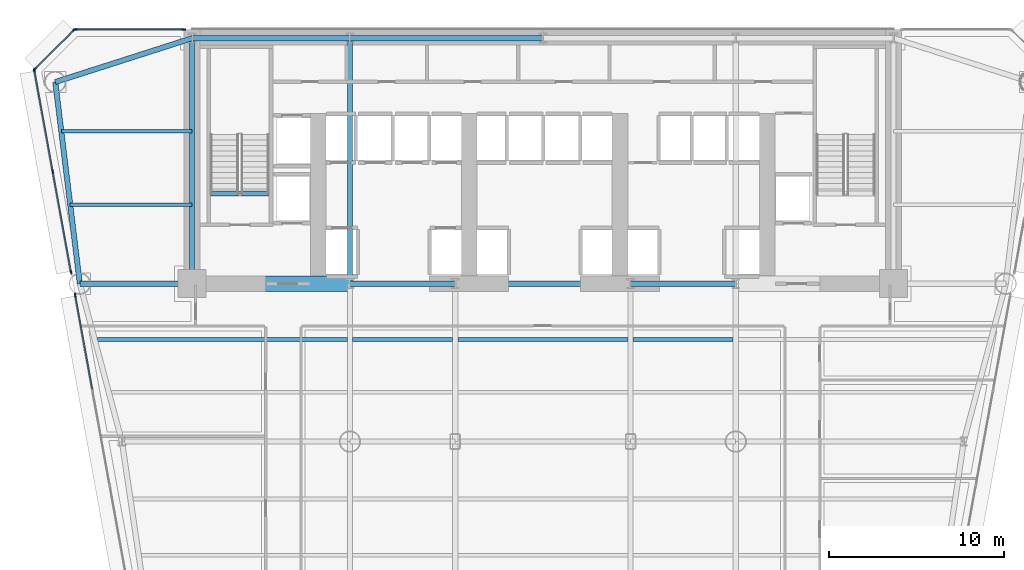
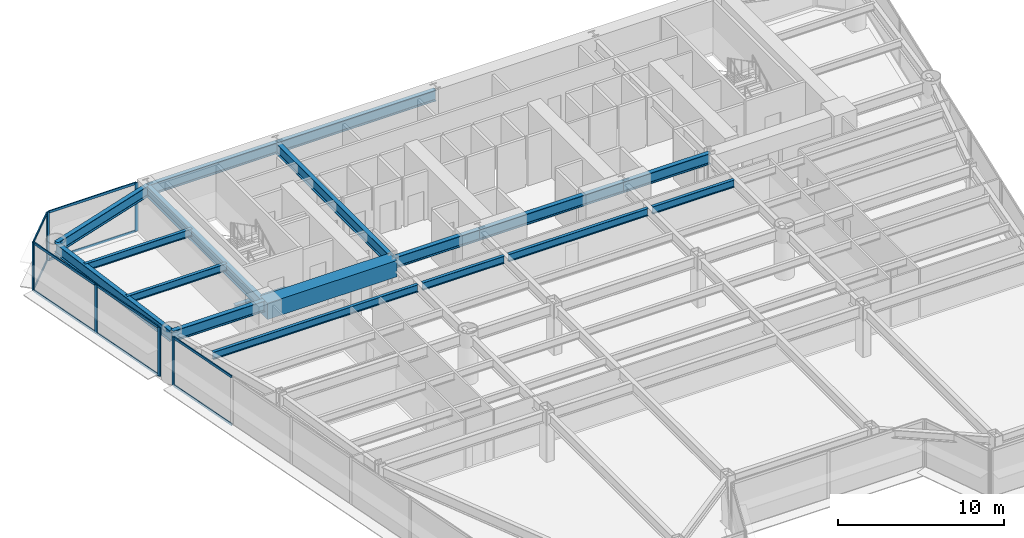
# One storey, part 5 of 14: 18 beams, 18 members, 4 elements without a shape of their own.
"""IFC4 building model written with IfcOpenShell, lengths in metres."""

from ifc_helpers import new_model, si_unit, direction, frame, origin, origin_2d, place, context, subcontext, project, spatial, rectangle, i_section, extrude, source, transform, mapped, material, layer, layer_set, material_profile, profile_set, type_object, element, aggregate, save


model = new_model("IFC4")

# Units and contexts
model_context = context("Model", 3, precision=1e-05, world=origin(), true_north=direction((0.0, 1.0)))
body_context = subcontext(model_context, "Body", "Model", "MODEL_VIEW")
ifc_project = project(units=[si_unit("LENGTHUNIT", "METRE"), si_unit("AREAUNIT", "SQUARE_METRE"), si_unit("VOLUMEUNIT", "CUBIC_METRE"), si_unit("PLANEANGLEUNIT", "RADIAN"), si_unit("MASSUNIT", "GRAM", prefix="KILO")], contexts=[model_context])

# Site, building, storey
site_placement = place(None, origin())
site = spatial("IfcSite", under=ifc_project, at=site_placement, CompositionType="ELEMENT")
building_placement = place(site_placement, origin())
building = spatial("IfcBuilding", under=site, at=building_placement, Name="Vaeldorn Concourse Tower", CompositionType="ELEMENT")
storey_placement = place(building_placement, frame((0.0, 0.0, 34.0)))
storey = spatial("IfcBuildingStorey", under=building, at=storey_placement, Name="L08", CompositionType="ELEMENT", Elevation=34.0)

# Beams
ifc_material_1 = material(Name="Concrete C60/75", Category="concrete")
ifc_material_profile_1 = material_profile(ifc_material_1, rectangle(XDim=0.89990234375, YDim=1.199951171875, at=origin_2d()), Name="RC 900x1200")
ifc_profile_set_1 = profile_set([ifc_material_profile_1], Name="Concrete C60/75")
beam_type_1 = type_object("IfcBeamType", Name="BM-CB-RC900", PredefinedType="BEAM", material=ifc_profile_set_1)
shared_shape_1 = source(origin(), body_context, "Body", "SweptSolid", [
    extrude(rectangle(XDim=0.89990234375, YDim=1.199951171875, at=origin_2d()), origin(), (0.0, 0.0, 1.0), 9.0),
])
beam_1_placement = place(storey_placement, frame((14.0, 36.5, 2.97998046875), z_axis=(1.0, 0.0, 0.0), x_axis=(0.0, 1.0, 0.0)))
element("IfcBeam", 1, at=beam_1_placement, inside=storey, type_object=beam_type_1, Name="Core Coupling Beam L08-1", PredefinedType="BEAM", context=body_context, shape_type="MappedRepresentation", body=[
    mapped(shared_shape_1, transform((0.0, 0.0, 0.0), scale=1.0)),
])
ifc_material_2 = material(Name="Steel S355", Category="steel")
ifc_material_profile_2 = material_profile(ifc_material_2, i_section(OverallWidth=0.300048828125, OverallDepth=0.340087890625, WebThickness=0.011962890625, FlangeThickness=0.021484375, FilletRadius=0.027099609375, at=origin_2d()), Name="HEB 340")
ifc_profile_set_2 = profile_set([ifc_material_profile_2], Name="Steel S355")
beam_type_2 = type_object("IfcBeamType", Name="BM-ST-TRIM", PredefinedType="BEAM", material=ifc_profile_set_2)
shared_shape_2 = source(origin(), body_context, "Body", "SweptSolid", [
    extrude(i_section(OverallWidth=0.300048828125, OverallDepth=0.340087890625, WebThickness=0.011962890625, FlangeThickness=0.021484375, FilletRadius=0.027099609375, at=origin_2d()), origin(), (0.0, 0.0, 1.0), 3.590087890625),
])
beam_2_placement = place(storey_placement, frame((14.929931640625, 41.639892578125, -0.389892578125), z_axis=(1.0, 0.0, 0.0), x_axis=(0.0, 1.0, 0.0)))
element("IfcBeam", 2, at=beam_2_placement, inside=storey, type_object=beam_type_2, Name="Stair Landing Trimmer Beam ST-1 L08", PredefinedType="BEAM", context=body_context, shape_type="MappedRepresentation", body=[
    mapped(shared_shape_2, transform((0.0, 0.0, 0.0), scale=1.0)),
])
ifc_material_profile_3 = material_profile(ifc_material_2, i_section(OverallWidth=0.300048828125, OverallDepth=0.800048828125, WebThickness=0.017578125, FlangeThickness=0.032958984375, FilletRadius=0.030029296875, at=origin_2d()), Name="HEB 800")
ifc_profile_set_3 = profile_set([ifc_material_profile_3], Name="Steel S355")
beam_type_3 = type_object("IfcBeamType", Name="BM-PG-HEB800", PredefinedType="BEAM", material=ifc_profile_set_3)
shared_shape_3 = source(origin(), body_context, "Body", "SweptSolid", [
    extrude(i_section(OverallWidth=0.300048828125, OverallDepth=0.800048828125, WebThickness=0.017578125, FlangeThickness=0.032958984375, FilletRadius=0.030029296875, at=origin_2d()), origin(), (0.0, 0.0, 1.0), 6.0),
])
for number, where, z_axis, x_axis, name in (
    (3, (23.0, 36.5, 3.179931640625), (1.0, 0.0, 0.0), (0.0, 1.0, 0.0), "Beam BM-L08-C-FC2-C-FC3"),
    (4, (39.0, 36.5, 3.179931640625), (1.0, 0.0, 0.0), (0.0, 1.0, 0.0), "Beam BM-L08-C-FC4-C-FC5"),
):
    element("IfcBeam", number, at=place(storey_placement, frame(where, z_axis=z_axis, x_axis=x_axis)), inside=storey, type_object=beam_type_3, Name=name, PredefinedType="BEAM", context=body_context, shape_type="MappedRepresentation", body=[
        mapped(shared_shape_3, transform((0.0, 0.0, 0.0), scale=1.0)),
    ])
shared_shape_4 = source(origin(), body_context, "Body", "SweptSolid", [
    extrude(i_section(OverallWidth=0.300048828125, OverallDepth=0.800048828125, WebThickness=0.017578125, FlangeThickness=0.032958984375, FilletRadius=0.030029296875, at=origin_2d()), origin(), (0.0, 0.0, 1.0), 10.0),
])
beam_3_placement = place(storey_placement, frame((29.0, 36.5, 3.179931640625), z_axis=(1.0, 0.0, 0.0), x_axis=(0.0, 1.0, 0.0)))
element("IfcBeam", 5, at=beam_3_placement, inside=storey, type_object=beam_type_3, Name="Beam BM-L08-C-FC3-C-FC4", PredefinedType="BEAM", context=body_context, shape_type="MappedRepresentation", body=[
    mapped(shared_shape_4, transform((0.0, 0.0, 0.0), scale=1.0)),
])
shared_shape_5 = source(origin(), body_context, "Body", "SweptSolid", [
    extrude(i_section(OverallWidth=0.300048828125, OverallDepth=0.800048828125, WebThickness=0.017578125, FlangeThickness=0.032958984375, FilletRadius=0.030029296875, at=origin_2d()), origin(), (0.0, 0.0, 1.0), 9.0),
])
beam_4_placement = place(storey_placement, frame((14.0, 50.5, 3.179931640625), z_axis=(1.0, 0.0, 0.0), x_axis=(0.0, 1.0, 0.0)))
element("IfcBeam", 6, at=beam_4_placement, inside=storey, type_object=beam_type_3, Name="Beam BM-L08-C-HC1-C-HC2", PredefinedType="BEAM", context=body_context, shape_type="MappedRepresentation", body=[
    mapped(shared_shape_5, transform((0.0, 0.0, 0.0), scale=1.0)),
])
shared_shape_6 = source(origin(), body_context, "Body", "SweptSolid", [
    extrude(i_section(OverallWidth=0.300048828125, OverallDepth=0.800048828125, WebThickness=0.017578125, FlangeThickness=0.032958984375, FilletRadius=0.030029296875, at=origin_2d()), origin(), (0.0, 0.0, 1.0), 11.0),
])
beam_5_placement = place(storey_placement, frame((23.0, 50.5, 3.179931640625), z_axis=(1.0, 0.0, 0.0), x_axis=(0.0, 1.0, 0.0)))
element("IfcBeam", 7, at=beam_5_placement, inside=storey, type_object=beam_type_3, Name="Beam BM-L08-C-HC2-C-HC3", PredefinedType="BEAM", context=body_context, shape_type="MappedRepresentation", body=[
    mapped(shared_shape_6, transform((0.0, 0.0, 0.0), scale=1.0)),
])
shared_shape_7 = source(origin(), body_context, "Body", "SweptSolid", [
    extrude(i_section(OverallWidth=0.300048828125, OverallDepth=0.800048828125, WebThickness=0.017578125, FlangeThickness=0.032958984375, FilletRadius=0.030029296875, at=origin_2d()), origin(), (0.0, 0.0, 1.0), 14.0),
])
for number, where, z_axis, x_axis, name in (
    (8, (14.0, 36.5, 3.179931640625), (0.0, 1.0, 0.0), (-1.0, 0.0, 0.0), "Beam BM-L08-C-FC1-C-HC1"),
    (9, (23.0, 36.5, 3.179931640625), (0.0, 1.0, 0.0), (-1.0, 0.0, 0.0), "Beam BM-L08-C-FC2-C-HC2"),
):
    element("IfcBeam", number, at=place(storey_placement, frame(where, z_axis=z_axis, x_axis=x_axis)), inside=storey, type_object=beam_type_3, Name=name, PredefinedType="BEAM", context=body_context, shape_type="MappedRepresentation", body=[
        mapped(shared_shape_7, transform((0.0, 0.0, 0.0), scale=1.0)),
    ])
shared_shape_8 = source(origin(), body_context, "Body", "SweptSolid", [
    extrude(i_section(OverallWidth=0.300048828125, OverallDepth=0.800048828125, WebThickness=0.017578125, FlangeThickness=0.032958984375, FilletRadius=0.030029296875, at=origin_2d()), origin(), (0.0, 0.0, 1.0), 8.19091796875),
])
beam_6_placement = place(storey_placement, frame((6.199951171875, 48.0, 3.179931640625), z_axis=(0.952282843383, 0.305216949396, 0.0), x_axis=(-0.305216949396, 0.952282843383, 0.0)))
element("IfcBeam", 10, at=beam_6_placement, inside=storey, type_object=beam_type_3, Name="Beam BM-L08-C-NW1-C-HC1", PredefinedType="BEAM", context=body_context, shape_type="MappedRepresentation", body=[
    mapped(shared_shape_8, transform((0.0, 0.0, 0.0), scale=1.0)),
])
shared_shape_9 = source(origin(), body_context, "Body", "SweptSolid", [
    extrude(i_section(OverallWidth=0.300048828125, OverallDepth=0.800048828125, WebThickness=0.017578125, FlangeThickness=0.032958984375, FilletRadius=0.030029296875, at=origin_2d()), origin(), (0.0, 0.0, 1.0), 11.5849609375),
])
beam_7_placement = place(storey_placement, frame((6.199951171875, 48.0, 3.179931640625), z_axis=(0.120859382899, -0.992669637677, 0.0), x_axis=(0.992669637677, 0.120859382899, 0.0)))
element("IfcBeam", 11, at=beam_7_placement, inside=storey, type_object=beam_type_3, Name="Beam BM-L08-C-NW1-C-NW2", PredefinedType="BEAM", context=body_context, shape_type="MappedRepresentation", body=[
    mapped(shared_shape_9, transform((0.0, 0.0, 0.0), scale=1.0)),
])
shared_shape_10 = source(origin(), body_context, "Body", "SweptSolid", [
    extrude(i_section(OverallWidth=0.300048828125, OverallDepth=0.800048828125, WebThickness=0.017578125, FlangeThickness=0.032958984375, FilletRadius=0.030029296875, at=origin_2d()), origin(), (0.0, 0.0, 1.0), 6.39990234375),
])
beam_8_placement = place(storey_placement, frame((7.60009765625, 36.5, 3.179931640625), z_axis=(1.0, 0.0, 0.0), x_axis=(0.0, 1.0, 0.0)))
element("IfcBeam", 12, at=beam_8_placement, inside=storey, type_object=beam_type_3, Name="Beam BM-L08-C-NW2-C-FC1", PredefinedType="BEAM", context=body_context, shape_type="MappedRepresentation", body=[
    mapped(shared_shape_10, transform((0.0, 0.0, 0.0), scale=1.0)),
])
ifc_material_profile_4 = material_profile(ifc_material_2, i_section(OverallWidth=0.2099609375, OverallDepth=0.550048828125, WebThickness=0.010986328125, FlangeThickness=0.01708984375, FilletRadius=0.02392578125, at=origin_2d()), Name="IPE 550")
ifc_profile_set_4 = profile_set([ifc_material_profile_4], Name="Steel S355")
beam_type_4 = type_object("IfcBeamType", Name="BM-JS-IPE550", PredefinedType="JOIST", material=ifc_profile_set_4)
shared_shape_11 = source(origin(), body_context, "Body", "SweptSolid", [
    extrude(i_section(OverallWidth=0.2099609375, OverallDepth=0.550048828125, WebThickness=0.010986328125, FlangeThickness=0.01708984375, FilletRadius=0.02392578125, at=origin_2d()), origin(), (0.0, 0.0, 1.0), 5.7001953125),
])
for number, where, z_axis, x_axis, name in (
    (13, (23.14990234375, 33.320068359375, 3.304931640625), (1.0, 0.0, 0.0), (0.0, 1.0, 0.0), "Beam JS-L08-W2-333"),
    (14, (39.14990234375, 33.320068359375, 3.304931640625), (1.0, 0.0, 0.0), (0.0, 1.0, 0.0), "Beam JS-L08-E2-333"),
):
    element("IfcBeam", number, at=place(storey_placement, frame(where, z_axis=z_axis, x_axis=x_axis)), inside=storey, type_object=beam_type_4, Name=name, PredefinedType="JOIST", context=body_context, shape_type="MappedRepresentation", body=[
        mapped(shared_shape_11, transform((0.0, 0.0, 0.0), scale=1.0)),
    ])
shared_shape_12 = source(origin(), body_context, "Body", "SweptSolid", [
    extrude(i_section(OverallWidth=0.2099609375, OverallDepth=0.550048828125, WebThickness=0.010986328125, FlangeThickness=0.01708984375, FilletRadius=0.02392578125, at=origin_2d()), origin(), (0.0, 0.0, 1.0), 9.7001953125),
])
beam_9_placement = place(storey_placement, frame((29.14990234375, 33.320068359375, 3.304931640625), z_axis=(1.0, 0.0, 0.0), x_axis=(0.0, 1.0, 0.0)))
element("IfcBeam", 15, at=beam_9_placement, inside=storey, type_object=beam_type_4, Name="Beam JS-L08-C-333", PredefinedType="JOIST", context=body_context, shape_type="MappedRepresentation", body=[
    mapped(shared_shape_12, transform((0.0, 0.0, 0.0), scale=1.0)),
])
shared_shape_13 = source(origin(), body_context, "Body", "SweptSolid", [
    extrude(i_section(OverallWidth=0.2099609375, OverallDepth=0.550048828125, WebThickness=0.010986328125, FlangeThickness=0.01708984375, FilletRadius=0.02392578125, at=origin_2d()), origin(), (0.0, 0.0, 1.0), 6.94775390625),
])
beam_10_placement = place(storey_placement, frame((7.05224609375, 41.0, 3.304931640625), z_axis=(1.0, 0.0, 0.0), x_axis=(0.0, 1.0, 0.0)))
element("IfcBeam", 16, at=beam_10_placement, inside=storey, type_object=beam_type_4, Name="Beam JS-L08-NW-410", PredefinedType="JOIST", context=body_context, shape_type="MappedRepresentation", body=[
    mapped(shared_shape_13, transform((0.0, 0.0, 0.0), scale=1.0)),
])
shared_shape_14 = source(origin(), body_context, "Body", "SweptSolid", [
    extrude(i_section(OverallWidth=0.2099609375, OverallDepth=0.550048828125, WebThickness=0.010986328125, FlangeThickness=0.01708984375, FilletRadius=0.02392578125, at=origin_2d()), origin(), (0.0, 0.0, 1.0), 7.458984375),
])
beam_11_placement = place(storey_placement, frame((6.541015625, 45.199951171875, 3.304931640625), z_axis=(1.0, 0.0, 0.0), x_axis=(0.0, 1.0, 0.0)))
element("IfcBeam", 17, at=beam_11_placement, inside=storey, type_object=beam_type_4, Name="Beam JS-L08-NW-452", PredefinedType="JOIST", context=body_context, shape_type="MappedRepresentation", body=[
    mapped(shared_shape_14, transform((0.0, 0.0, 0.0), scale=1.0)),
])
shared_shape_15 = source(origin(), body_context, "Body", "SweptSolid", [
    extrude(i_section(OverallWidth=0.2099609375, OverallDepth=0.550048828125, WebThickness=0.010986328125, FlangeThickness=0.01708984375, FilletRadius=0.02392578125, at=origin_2d()), origin(), (0.0, 0.0, 1.0), 14.252197265625),
])
beam_12_placement = place(storey_placement, frame((8.597900390625, 33.320068359375, 3.304931640625), z_axis=(1.0, 0.0, 0.0), x_axis=(0.0, 1.0, 0.0)))
element("IfcBeam", 18, at=beam_12_placement, inside=storey, type_object=beam_type_4, Name="Beam JS-L08-W1-333", PredefinedType="JOIST", context=body_context, shape_type="MappedRepresentation", body=[
    mapped(shared_shape_15, transform((0.0, 0.0, 0.0), scale=1.0)),
])

# Curtain wall, members
ifc_material_3 = material(Name="Anodised Bronze Aluminium", Category="aluminium")
ifc_layer = layer(ifc_material_3, 0.219970703125)
ifc_layer_set = layer_set([ifc_layer], Name="Anodised Bronze Aluminium")
curtain_wall_type = type_object("IfcCurtainWallType", Name="CW-SYS-01", PredefinedType="NOTDEFINED", material=ifc_layer_set)
curtain_wall_1_placement = place(storey_placement, origin())
curtain_wall_1 = element("IfcCurtainWall", 19, at=curtain_wall_1_placement, inside=storey, type_object=curtain_wall_type, Name="Unitised Curtain Wall CW-L08-E10-1", PredefinedType="NOTDEFINED")
ifc_material_profile_5 = material_profile(ifc_material_3, rectangle(XDim=0.074951171875, YDim=0.179931640625, at=origin_2d()), Name="CWT 75x180")
ifc_profile_set_5 = profile_set([ifc_material_profile_5], Name="Anodised Bronze Aluminium")
member_type_1 = type_object("IfcMemberType", Name="CWT-BRONZE-180", PredefinedType="USERDEFINED", material=ifc_profile_set_5)
shared_shape_16 = source(origin(), body_context, "Body", "SweptSolid", [
    extrude(rectangle(XDim=0.074951171875, YDim=0.179931640625, at=origin_2d()), origin(), (0.0, 0.0, 1.0), 3.10302734375),
])
member_1_placement = place(storey_placement, frame((7.2470703125, 50.947021484375, 0.03759765625), z_axis=(-0.707106781187, -0.707106781187, 0.0), x_axis=(0.707106781187, -0.707106781187, 0.0)))
member_1 = element("IfcMember", 20, at=member_1_placement, type_object=member_type_1, Name="CW-01 transom 1.1", ObjectType="TRANSOM", PredefinedType="USERDEFINED", context=body_context, shape_type="MappedRepresentation", body=[
    mapped(shared_shape_16, transform((0.0, 0.0, 0.0), scale=1.0)),
])
member_2_placement = place(storey_placement, frame((7.2470703125, 50.947021484375, 3.54248046875), z_axis=(-0.707106781187, -0.707106781187, 0.0), x_axis=(0.707106781187, -0.707106781187, 0.0)))
member_2 = element("IfcMember", 21, at=member_2_placement, type_object=member_type_1, Name="CW-01 transom 1.2", ObjectType="TRANSOM", PredefinedType="USERDEFINED", context=body_context, shape_type="MappedRepresentation", body=[
    mapped(shared_shape_16, transform((0.0, 0.0, 0.0), scale=1.0)),
])

curtain_wall_2_placement = place(storey_placement, origin())
curtain_wall_2 = element("IfcCurtainWall", 22, at=curtain_wall_2_placement, inside=storey, type_object=curtain_wall_type, Name="Unitised Curtain Wall CW-L08-E09-2", PredefinedType="NOTDEFINED")
shared_shape_17 = source(origin(), body_context, "Body", "SweptSolid", [
    extrude(rectangle(XDim=0.074951171875, YDim=0.179931640625, at=origin_2d()), origin(), (0.0, 0.0, 1.0), 6.10498046875),
])
member_3_placement = place(storey_placement, frame((13.47998046875, 51.0, 0.03759765625), z_axis=(-1.0, 0.0, 0.0), x_axis=(0.0, -1.0, 0.0)))
member_3 = element("IfcMember", 23, at=member_3_placement, type_object=member_type_1, Name="CW-01 transom 1.1", ObjectType="TRANSOM", PredefinedType="USERDEFINED", context=body_context, shape_type="MappedRepresentation", body=[
    mapped(shared_shape_17, transform((0.0, 0.0, 0.0), scale=1.0)),
])
member_4_placement = place(storey_placement, frame((13.47998046875, 51.0, 3.54248046875), z_axis=(-1.0, 0.0, 0.0), x_axis=(0.0, -1.0, 0.0)))
member_4 = element("IfcMember", 24, at=member_4_placement, type_object=member_type_1, Name="CW-01 transom 1.2", ObjectType="TRANSOM", PredefinedType="USERDEFINED", context=body_context, shape_type="MappedRepresentation", body=[
    mapped(shared_shape_17, transform((0.0, 0.0, 0.0), scale=1.0)),
])

curtain_wall_3_placement = place(storey_placement, origin())
curtain_wall_3 = element("IfcCurtainWall", 25, at=curtain_wall_3_placement, inside=storey, type_object=curtain_wall_type, Name="Unitised Curtain Wall CW-L08-E11-1", PredefinedType="NOTDEFINED")
shared_shape_18 = source(origin(), body_context, "Body", "SweptSolid", [
    extrude(rectangle(XDim=0.074951171875, YDim=0.179931640625, at=origin_2d()), origin(), (0.0, 0.0, 1.0), 5.7724609375),
])
member_5_placement = place(storey_placement, frame((6.058837890625, 42.872802734375, 0.03759765625), z_axis=(0.178777502374, -0.983889528679, 0.0), x_axis=(0.983889528679, 0.178777502374, 0.0)))
member_5 = element("IfcMember", 26, at=member_5_placement, type_object=member_type_1, Name="CW-01 transom 2.1", ObjectType="TRANSOM", PredefinedType="USERDEFINED", context=body_context, shape_type="MappedRepresentation", body=[
    mapped(shared_shape_18, transform((0.0, 0.0, 0.0), scale=1.0)),
])
member_6_placement = place(storey_placement, frame((6.058837890625, 42.872802734375, 3.54248046875), z_axis=(0.178777502374, -0.983889528679, 0.0), x_axis=(0.983889528679, 0.178777502374, 0.0)))
member_6 = element("IfcMember", 27, at=member_6_placement, type_object=member_type_1, Name="CW-01 transom 2.2", ObjectType="TRANSOM", PredefinedType="USERDEFINED", context=body_context, shape_type="MappedRepresentation", body=[
    mapped(shared_shape_18, transform((0.0, 0.0, 0.0), scale=1.0)),
])

# Member
ifc_material_profile_6 = material_profile(ifc_material_3, rectangle(XDim=0.074951171875, YDim=0.219970703125, at=origin_2d()), Name="CWM 75x220")
ifc_profile_set_6 = profile_set([ifc_material_profile_6], Name="Anodised Bronze Aluminium")
member_type_2 = type_object("IfcMemberType", Name="CWM-BRONZE-220", PredefinedType="MULLION", material=ifc_profile_set_6)
shared_shape_19 = source(origin(), body_context, "Body", "SweptSolid", [
    extrude(rectangle(XDim=0.074951171875, YDim=0.219970703125, at=origin_2d()), origin(), (0.0, 0.0, 1.0), 3.580078125),
])
member_7_placement = place(storey_placement, frame((13.517578125, 51.0, 0.0), z_axis=(0.0, 0.0, 1.0), x_axis=(0.0, -1.0, 0.0)))
member_7 = element("IfcMember", 28, at=member_7_placement, type_object=member_type_2, Name="CW-01 mullion 1", PredefinedType="MULLION", context=body_context, shape_type="MappedRepresentation", body=[
    mapped(shared_shape_19, transform((0.0, 0.0, 0.0), scale=1.0)),
])

member_8_placement = place(storey_placement, frame((7.33740234375, 51.0, 0.0), z_axis=(0.0, 0.0, 1.0), x_axis=(0.0, -1.0, 0.0)))
member_8 = element("IfcMember", 29, at=member_8_placement, type_object=member_type_2, Name="CW-01 mullion 2", PredefinedType="MULLION", context=body_context, shape_type="MappedRepresentation", body=[
    mapped(shared_shape_19, transform((0.0, 0.0, 0.0), scale=1.0)),
])

aggregate(curtain_wall_2, [member_7, member_8, member_3, member_4])

member_9_placement = place(storey_placement, frame((7.2734375, 50.973388671875, 0.0), z_axis=(0.0, 0.0, 1.0), x_axis=(0.707106781187, -0.707106781187, 0.0)))
member_9 = element("IfcMember", 30, at=member_9_placement, type_object=member_type_2, Name="CW-01 mullion 1", PredefinedType="MULLION", context=body_context, shape_type="MappedRepresentation", body=[
    mapped(shared_shape_19, transform((0.0, 0.0, 0.0), scale=1.0)),
])

member_10_placement = place(storey_placement, frame((5.026611328125, 48.7265625, 0.0), z_axis=(0.0, 0.0, 1.0), x_axis=(0.707106781187, -0.707106781187, 0.0)))
member_10 = element("IfcMember", 31, at=member_10_placement, type_object=member_type_2, Name="CW-01 mullion 2", PredefinedType="MULLION", context=body_context, shape_type="MappedRepresentation", body=[
    mapped(shared_shape_19, transform((0.0, 0.0, 0.0), scale=1.0)),
])

aggregate(curtain_wall_1, [member_9, member_10, member_1, member_2])

member_11_placement = place(storey_placement, frame((5.006591796875, 48.6630859375, 0.0), z_axis=(0.0, 0.0, 1.0), x_axis=(0.983890022625, 0.17877478396, 0.0)))
member_11 = element("IfcMember", 32, at=member_11_placement, type_object=member_type_2, Name="CW-01 mullion 1", PredefinedType="MULLION", context=body_context, shape_type="MappedRepresentation", body=[
    mapped(shared_shape_19, transform((0.0, 0.0, 0.0), scale=1.0)),
])

member_12_placement = place(storey_placement, frame((6.052001953125, 42.90966796875, 0.0), z_axis=(0.0, 0.0, 1.0), x_axis=(0.983890022625, 0.17877478396, 0.0)))
member_12 = element("IfcMember", 33, at=member_12_placement, type_object=member_type_2, Name="CW-01 mullion 2", PredefinedType="MULLION", context=body_context, shape_type="MappedRepresentation", body=[
    mapped(shared_shape_19, transform((0.0, 0.0, 0.0), scale=1.0)),
])

member_13_placement = place(storey_placement, frame((7.097412109375, 37.156494140625, 0.0), z_axis=(0.0, 0.0, 1.0), x_axis=(0.983890022625, 0.17877478396, 0.0)))
member_13 = element("IfcMember", 34, at=member_13_placement, type_object=member_type_2, Name="CW-01 mullion 3", PredefinedType="MULLION", context=body_context, shape_type="MappedRepresentation", body=[
    mapped(shared_shape_19, transform((0.0, 0.0, 0.0), scale=1.0)),
])

# Curtain wall, member
curtain_wall_4_placement = place(storey_placement, origin())
curtain_wall_4 = element("IfcCurtainWall", 35, at=curtain_wall_4_placement, inside=storey, type_object=curtain_wall_type, Name="Unitised Curtain Wall CW-L08-E11-2", PredefinedType="NOTDEFINED")
member_14_placement = place(storey_placement, frame((7.3359375, 35.843505859375, 0.0), z_axis=(0.0, 0.0, 1.0), x_axis=(0.983889929037, 0.17877529902, 0.0)))
member_14 = element("IfcMember", 36, at=member_14_placement, type_object=member_type_2, Name="CW-01 mullion 1", PredefinedType="MULLION", context=body_context, shape_type="MappedRepresentation", body=[
    mapped(shared_shape_19, transform((0.0, 0.0, 0.0), scale=1.0)),
])

# Member
shared_shape_20 = source(origin(), body_context, "Body", "SweptSolid", [
    extrude(rectangle(XDim=0.074951171875, YDim=0.179931640625, at=origin_2d()), origin(), (0.0, 0.0, 1.0), 5.772705078125),
])
member_15_placement = place(storey_placement, frame((5.013427734375, 48.626220703125, 0.03759765625), z_axis=(0.178770063246, -0.983890880376, 0.0), x_axis=(0.983890880376, 0.178770063246, 0.0)))
member_15 = element("IfcMember", 37, at=member_15_placement, type_object=member_type_1, Name="CW-01 transom 1.1", ObjectType="TRANSOM", PredefinedType="USERDEFINED", context=body_context, shape_type="MappedRepresentation", body=[
    mapped(shared_shape_20, transform((0.0, 0.0, 0.0), scale=1.0)),
])

member_16_placement = place(storey_placement, frame((5.013427734375, 48.626220703125, 3.54248046875), z_axis=(0.178770063246, -0.983890880376, 0.0), x_axis=(0.983890880376, 0.178770063246, 0.0)))
member_16 = element("IfcMember", 38, at=member_16_placement, type_object=member_type_1, Name="CW-01 transom 1.2", ObjectType="TRANSOM", PredefinedType="USERDEFINED", context=body_context, shape_type="MappedRepresentation", body=[
    mapped(shared_shape_20, transform((0.0, 0.0, 0.0), scale=1.0)),
])

aggregate(curtain_wall_3, [member_11, member_12, member_13, member_15, member_16, member_5, member_6])

shared_shape_21 = source(origin(), body_context, "Body", "SweptSolid", [
    extrude(rectangle(XDim=0.074951171875, YDim=0.179931640625, at=origin_2d()), origin(), (0.0, 0.0, 1.0), 5.413818359375),
])
member_17_placement = place(storey_placement, frame((7.3427734375, 35.806640625, 0.03759765625), z_axis=(0.178758447863, -0.983892990786, 0.0), x_axis=(0.983892990786, 0.178758447863, 0.0)))
member_17 = element("IfcMember", 39, at=member_17_placement, type_object=member_type_1, Name="CW-01 transom 1.1", ObjectType="TRANSOM", PredefinedType="USERDEFINED", context=body_context, shape_type="MappedRepresentation", body=[
    mapped(shared_shape_21, transform((0.0, 0.0, 0.0), scale=1.0)),
])

member_18_placement = place(storey_placement, frame((7.3427734375, 35.806640625, 3.54248046875), z_axis=(0.178758447863, -0.983892990786, 0.0), x_axis=(0.983892990786, 0.178758447863, 0.0)))
member_18 = element("IfcMember", 40, at=member_18_placement, type_object=member_type_1, Name="CW-01 transom 1.2", ObjectType="TRANSOM", PredefinedType="USERDEFINED", context=body_context, shape_type="MappedRepresentation", body=[
    mapped(shared_shape_21, transform((0.0, 0.0, 0.0), scale=1.0)),
])

aggregate(curtain_wall_4, [member_14, member_17, member_18])

save(model, "model.ifc")
